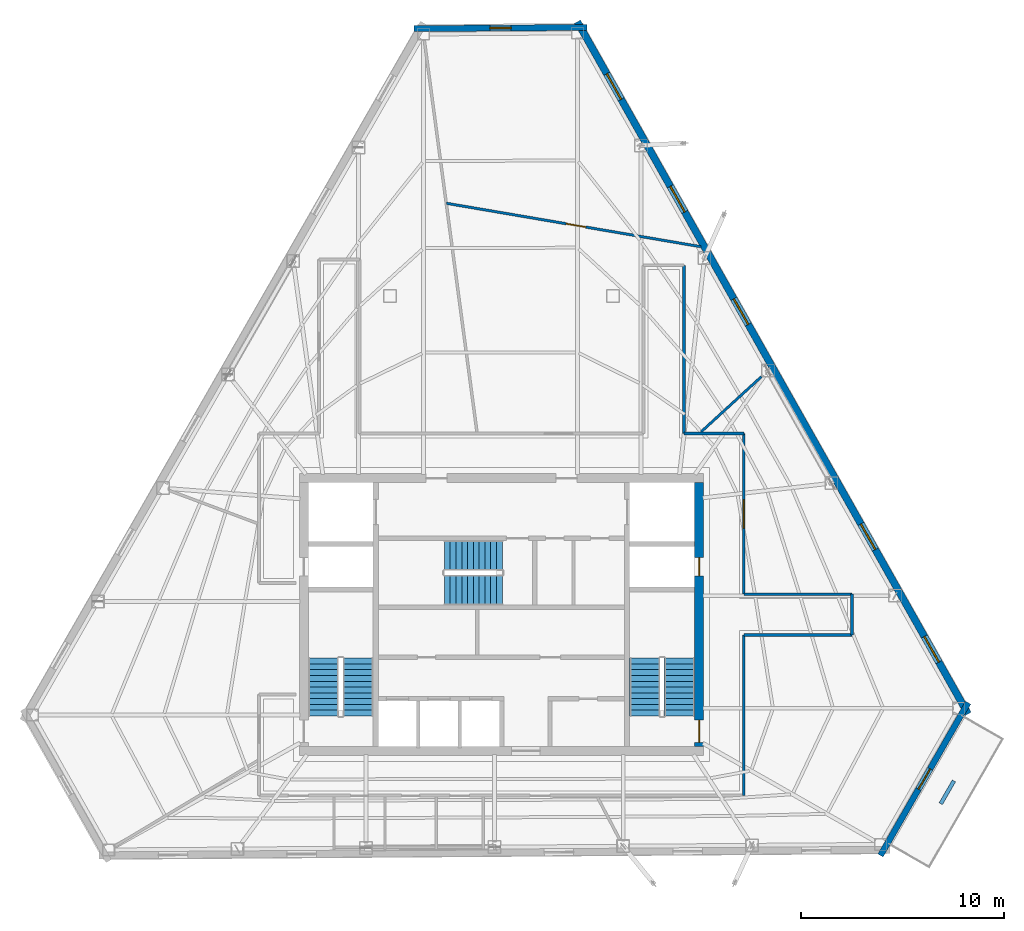
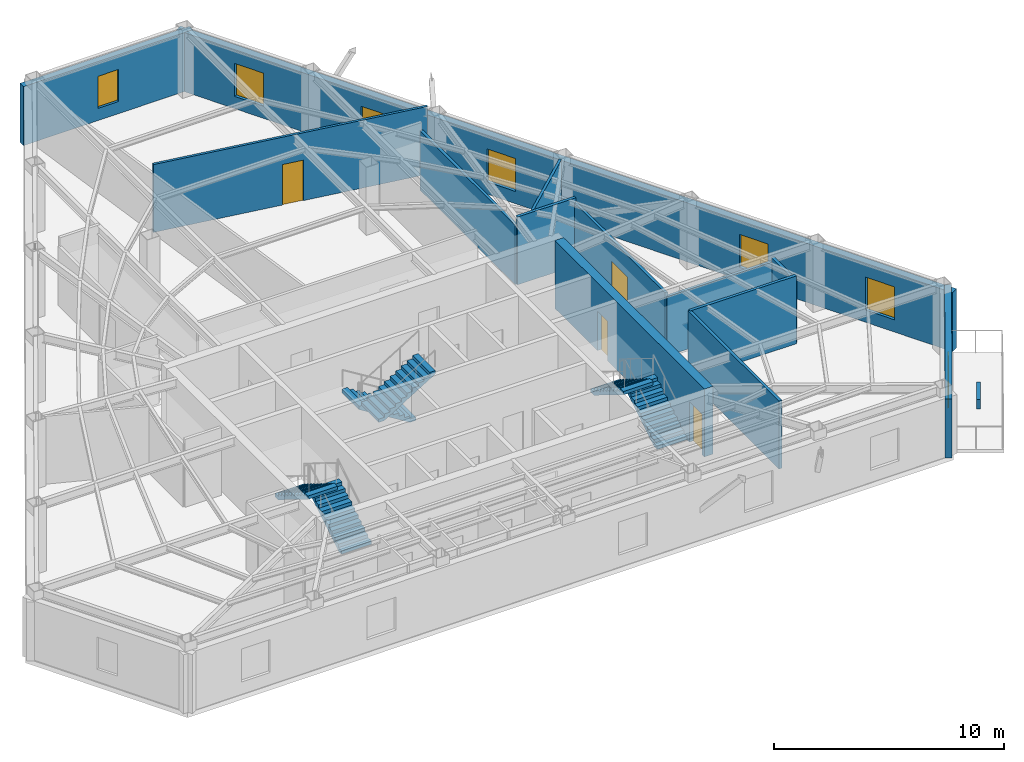
# One storey, part 10 of 12: 14 walls, 6 stair flights, 6 windows, 5 doors, 11 openings, 3 elements without a shape of their own.
"""IFC4 building model written with IfcOpenShell, lengths in metres."""

from ifc_helpers import new_model, si_unit, direction, frame, frame_2d, origin, place, context, subcontext, project, spatial, polyline, rectangle, outline, extrude, material, layer, layer_set, type_object, element, fill, aggregate, save


model = new_model("IFC4")

# Units and contexts
model_context = context("Model", 3, precision=1e-05, world=origin(), true_north=direction((0.0, 1.0)))
body_context = subcontext(model_context, "Body", "Model", "MODEL_VIEW")
ifc_project = project(units=[si_unit("LENGTHUNIT", "METRE"), si_unit("AREAUNIT", "SQUARE_METRE"), si_unit("VOLUMEUNIT", "CUBIC_METRE"), si_unit("PLANEANGLEUNIT", "RADIAN"), si_unit("MASSUNIT", "GRAM", prefix="KILO")], contexts=[model_context])

# Site, building, storey
site_placement = place(None, origin())
site = spatial("IfcSite", under=ifc_project, at=site_placement, CompositionType="ELEMENT")
building_placement = place(site_placement, origin())
building = spatial("IfcBuilding", under=site, at=building_placement, Name="Kavelnor Concourse Tower", CompositionType="ELEMENT")
storey_placement = place(building_placement, frame((0.0, 0.0, 226.60009765625)))
storey = spatial("IfcBuildingStorey", under=building, at=storey_placement, Name="L57", CompositionType="ELEMENT", Elevation=226.60009765625)

# Wall, openings, doors
ifc_material_1 = material(Name="Concrete C50/60", Category="concrete")
ifc_layer_1 = layer(ifc_material_1, 0.43994140625, Name="Concrete C50/60")
ifc_layer_set_1 = layer_set([ifc_layer_1], Name="Concrete C50/60")
wall_type_1 = type_object("IfcWallType", Name="WL-CORE-Z3-440", PredefinedType="SOLIDWALL", material=ifc_layer_set_1)
wall_1_placement = place(storey_placement, frame((47.739990234375, 9.60009765625, 0.0), z_axis=(0.0, 0.0, 1.0), x_axis=(0.0, 1.0, 0.0)))
wall_1 = element("IfcWall", 1, at=wall_1_placement, inside=storey, type_object=wall_type_1, Name="L57 Central Core East Shear Wall", PredefinedType="SOLIDWALL", context=body_context, shape_type="SweptSolid", body=[
    extrude(rectangle(XDim=13.0, YDim=0.43994140625, at=frame_2d((6.5, 0.0))), origin(), (0.0, 0.0, 1.0), 3.599853515625),
])
opening_1_placement = place(wall_1_placement, frame((0.199951171875, 0.0, 0.0)))
opening_1 = element("IfcOpeningElement", 2, at=opening_1_placement, cuts=wall_1, Name="Opening FD-110", PredefinedType="OPENING", context=body_context, shape_type="SweptSolid", body=[
    extrude(rectangle(XDim=1.10009765625, YDim=2.14990234375, at=frame_2d((0.550048828125, 1.074951171875))), frame((0.0, 0.22998046875, 0.0), z_axis=(0.0, -1.0, 0.0), x_axis=(1.0, 0.0, 0.0)), (0.0, 0.0, 1.0), 0.4599609375),
])
opening_2_placement = place(wall_1_placement, frame((8.39990234375, 0.0, 0.0)))
opening_2 = element("IfcOpeningElement", 3, at=opening_2_placement, cuts=wall_1, Name="Opening FD-090", PredefinedType="OPENING", context=body_context, shape_type="SweptSolid", body=[
    extrude(rectangle(XDim=0.89990234375, YDim=2.10009765625, at=frame_2d((0.449951171875, 1.050048828125))), frame((0.0, 0.22998046875, 0.0), z_axis=(0.0, -1.0, 0.0), x_axis=(1.0, 0.0, 0.0)), (0.0, 0.0, 1.0), 0.4599609375),
])
ifc_material_2 = material(Name="Steel Grade 350", Category="steel")
door_type_1 = type_object("IfcDoorType", Name="DR-RISER-FIRE-900", OperationType="NOTDEFINED", PredefinedType="DOOR", material=ifc_material_2)
door_1_placement = place(opening_2_placement, origin())
door_1 = element("IfcDoor", 4, at=door_1_placement, inside=storey, type_object=door_type_1, Name="L57 East Riser Access Door", OperationType="SINGLE_SWING_LEFT", OverallHeight=2.10009765625, OverallWidth=0.89990234375, PredefinedType="DOOR", context=body_context, shape_type="SweptSolid", body=[
    extrude(rectangle(XDim=0.89990234375, YDim=2.10009765625, at=frame_2d((0.449951171875, 1.050048828125))), frame((0.0, 0.02490234375, 0.0), z_axis=(0.0, -1.0, 0.0), x_axis=(1.0, 0.0, 0.0)), (0.0, 0.0, 1.0), 0.050048828125),
])
fill(opening_2, door_1)
door_type_2 = type_object("IfcDoorType", Name="DR-STAIR-FIRE-1100", OperationType="NOTDEFINED", PredefinedType="DOOR", material=ifc_material_2)
door_2_placement = place(opening_1_placement, origin())
door_2 = element("IfcDoor", 5, at=door_2_placement, inside=storey, type_object=door_type_2, Name="L57 Stair ST2 Fire Door", OperationType="SINGLE_SWING_RIGHT", OverallHeight=2.14990234375, OverallWidth=1.10009765625, PredefinedType="DOOR", context=body_context, shape_type="SweptSolid", body=[
    extrude(rectangle(XDim=1.10009765625, YDim=2.14990234375, at=frame_2d((0.550048828125, 1.074951171875))), frame((0.0, 0.02490234375, 0.0), z_axis=(0.0, -1.0, 0.0), x_axis=(1.0, 0.0, 0.0)), (0.0, 0.0, 1.0), 0.050048828125),
])
fill(opening_1, door_2)

# Wall, opening, window
ifc_material_3 = material(Name="Buff ironspot clay face brick masonry", Category="masonry")
ifc_layer_2 = layer(ifc_material_3, 0.300048828125, Name="Buff ironspot clay face brick masonry")
ifc_layer_set_2 = layer_set([ifc_layer_2], Name="Buff ironspot clay face brick masonry")
wall_type_2 = type_object("IfcWallType", Name="WL-EXT-BUFF-BRICK-FOLD-300", PredefinedType="STANDARD", material=ifc_layer_set_2)
wall_2_placement = place(storey_placement, frame((33.679443359375, 44.97119140625, 0.0), z_axis=(0.0, 0.0, 1.0), x_axis=(0.999974684305, 0.007115528717, 0.0)))
wall_2 = element("IfcWall", 6, at=wall_2_placement, inside=storey, type_object=wall_type_2, Name="L57 Exterior Brick Facade Wall E0", PredefinedType="STANDARD", context=body_context, shape_type="SweptSolid", body=[
    extrude(rectangle(XDim=8.54345703125, YDim=0.300048828125, at=frame_2d((4.271728515625, 0.0))), origin(), (0.0, 0.0, 1.0), 3.1318359375),
])
opening_3_placement = place(wall_2_placement, frame((3.746826171875, 0.0, 0.64990234375)))
opening_3 = element("IfcOpeningElement", 7, at=opening_3_placement, cuts=wall_2, Name="Opening W-06", PredefinedType="OPENING", context=body_context, shape_type="SweptSolid", body=[
    extrude(rectangle(XDim=1.050048828125, YDim=1.699951171875, at=frame_2d((0.52490234375, 0.85009765625))), frame((0.0, 0.16015625, 0.0), z_axis=(0.0, -1.0, 0.0), x_axis=(1.0, 0.0, 0.0)), (0.0, 0.0, 1.0), 0.320068359375),
])
ifc_material_4 = material(Name="Double low-E argon insulated glazing", Category="glass")
window_type_1 = type_object("IfcWindowType", Name="WIN-FOLD-1050", PartitioningType="SINGLE_PANEL", PredefinedType="WINDOW", material=ifc_material_4)
window_1_placement = place(opening_3_placement, origin())
window_1 = element("IfcWindow", 8, at=window_1_placement, inside=storey, type_object=window_type_1, Name="L57 Chamfer-Fold Facet Window C0", OverallHeight=1.699951171875, OverallWidth=1.050048828125, PartitioningType="SINGLE_PANEL", PredefinedType="WINDOW", context=body_context, shape_type="SweptSolid", body=[
    extrude(rectangle(XDim=1.050048828125, YDim=1.699951171875, at=frame_2d((0.52490234375, 0.85009765625))), frame((0.0, 0.030029296875, 0.0), z_axis=(0.0, -1.0, 0.0), x_axis=(1.0, 0.0, 0.0)), (0.0, 0.0, 1.0), 0.06005859375),
])
fill(opening_3, window_1)

# Wall, opening, door
wall_3_placement = place(storey_placement, frame((60.99658203125, 11.755615234375, 0.0), z_axis=(0.0, 0.0, 1.0), x_axis=(-0.497752351983, -0.867319200811, 0.0)))
wall_3 = element("IfcWall", 9, at=wall_3_placement, inside=storey, type_object=wall_type_2, Name="L57 Exterior Brick Facade Wall E4", PredefinedType="STANDARD", context=body_context, shape_type="SweptSolid", body=[
    extrude(rectangle(XDim=8.68115234375, YDim=0.300048828125, at=frame_2d((4.340576171875, 0.0))), origin(), (0.0, 0.0, 1.0), 3.1318359375),
])
opening_4_placement = place(wall_3_placement, frame((3.765380859375, 0.0, 0.0)))
opening_4 = element("IfcOpeningElement", 10, at=opening_4_placement, cuts=wall_3, Name="Opening TD-115", PredefinedType="OPENING", context=body_context, shape_type="SweptSolid", body=[
    extrude(rectangle(XDim=1.14990234375, YDim=2.199951171875, at=frame_2d((0.574951171875, 1.10009765625))), frame((0.0, 0.16015625, 0.0), z_axis=(0.0, -1.0, 0.0), x_axis=(1.0, 0.0, 0.0)), (0.0, 0.0, 1.0), 0.320068359375),
])
ifc_material_5 = material(Name="Anodised aluminium 6063-T6", Category="aluminium")
door_type_3 = type_object("IfcDoorType", Name="DR-TERRACE-EXT-1150", OperationType="NOTDEFINED", PredefinedType="DOOR", material=ifc_material_5)
door_3_placement = place(opening_4_placement, origin())
door_3 = element("IfcDoor", 11, at=door_3_placement, inside=storey, type_object=door_type_3, Name="L57 Spiral Sky Terrace Access Door", OperationType="SINGLE_SWING_RIGHT", OverallHeight=2.199951171875, OverallWidth=1.14990234375, PredefinedType="DOOR", context=body_context, shape_type="SweptSolid", body=[
    extrude(rectangle(XDim=1.14990234375, YDim=2.199951171875, at=frame_2d((0.574951171875, 1.10009765625))), frame((0.0, 0.02490234375, 0.0), z_axis=(0.0, -1.0, 0.0), x_axis=(1.0, 0.0, 0.0)), (0.0, 0.0, 1.0), 0.050048828125),
])
fill(opening_4, door_3)

# Wall, openings, windows
ifc_material_6 = material(Name="Red-ochre clay face brick masonry", Category="masonry")
ifc_layer_3 = layer(ifc_material_6, 0.35009765625, Name="Red-ochre clay face brick masonry")
ifc_layer_set_3 = layer_set([ifc_layer_3], Name="Red-ochre clay face brick masonry")
wall_type_3 = type_object("IfcWallType", Name="WL-EXT-RED-BRICK-PIER-350", PredefinedType="STANDARD", material=ifc_layer_set_3)
wall_4_placement = place(storey_placement, frame((41.739990234375, 45.3115234375, 0.0), z_axis=(0.0, 0.0, 1.0), x_axis=(0.491560367125, -0.870843502285, 0.0)))
wall_4 = element("IfcWall", 12, at=wall_4_placement, inside=storey, type_object=wall_type_3, Name="L57 Exterior Brick Facade Wall E5", PredefinedType="STANDARD", context=body_context, shape_type="SweptSolid", body=[
    extrude(rectangle(XDim=39.17041015625, YDim=0.35009765625, at=frame_2d((19.585205078125, 0.0))), origin(), (0.0, 0.0, 1.0), 3.1318359375),
])
opening_5_placement = place(wall_4_placement, frame((34.787841796875, 0.0, 0.64990234375)))
opening_5 = element("IfcOpeningElement", 13, at=opening_5_placement, cuts=wall_4, Name="Opening W-03", PredefinedType="OPENING", context=body_context, shape_type="SweptSolid", body=[
    extrude(rectangle(XDim=1.449951171875, YDim=1.75, at=frame_2d((0.72509765625, 0.875))), frame((0.0, 0.18505859375, 0.0), z_axis=(0.0, -1.0, 0.0), x_axis=(1.0, 0.0, 0.0)), (0.0, 0.0, 1.0), 0.3701171875),
])
opening_6_placement = place(wall_4_placement, frame((28.418701171875, 0.0, 0.64990234375)))
opening_6 = element("IfcOpeningElement", 14, at=opening_6_placement, cuts=wall_4, Name="Opening W-03", PredefinedType="OPENING", context=body_context, shape_type="SweptSolid", body=[
    extrude(rectangle(XDim=1.449951171875, YDim=1.75, at=frame_2d((0.72509765625, 0.875))), frame((0.0, 0.18505859375, 0.0), z_axis=(0.0, -1.0, 0.0), x_axis=(1.0, 0.0, 0.0)), (0.0, 0.0, 1.0), 0.3701171875),
])
opening_7_placement = place(wall_4_placement, frame((15.680419921875, 0.0, 0.64990234375)))
opening_7 = element("IfcOpeningElement", 15, at=opening_7_placement, cuts=wall_4, Name="Opening W-03", PredefinedType="OPENING", context=body_context, shape_type="SweptSolid", body=[
    extrude(rectangle(XDim=1.449951171875, YDim=1.75, at=frame_2d((0.72509765625, 0.875))), frame((0.0, 0.18505859375, 0.0), z_axis=(0.0, -1.0, 0.0), x_axis=(1.0, 0.0, 0.0)), (0.0, 0.0, 1.0), 0.3701171875),
])
opening_8_placement = place(wall_4_placement, frame((9.311279296875, 0.0, 0.64990234375)))
opening_8 = element("IfcOpeningElement", 16, at=opening_8_placement, cuts=wall_4, Name="Opening W-03", PredefinedType="OPENING", context=body_context, shape_type="SweptSolid", body=[
    extrude(rectangle(XDim=1.449951171875, YDim=1.75, at=frame_2d((0.72509765625, 0.875))), frame((0.0, 0.18505859375, 0.0), z_axis=(0.0, -1.0, 0.0), x_axis=(1.0, 0.0, 0.0)), (0.0, 0.0, 1.0), 0.3701171875),
])
opening_9_placement = place(wall_4_placement, frame((2.942138671875, 0.0, 0.64990234375)))
opening_9 = element("IfcOpeningElement", 17, at=opening_9_placement, cuts=wall_4, Name="Opening W-03", PredefinedType="OPENING", context=body_context, shape_type="SweptSolid", body=[
    extrude(rectangle(XDim=1.449951171875, YDim=1.75, at=frame_2d((0.72509765625, 0.875))), frame((0.0, 0.18505859375, 0.0), z_axis=(0.0, -1.0, 0.0), x_axis=(1.0, 0.0, 0.0)), (0.0, 0.0, 1.0), 0.3701171875),
])
window_type_2 = type_object("IfcWindowType", Name="WIN-PIER-Z3-1500", PartitioningType="SINGLE_PANEL", PredefinedType="WINDOW", material=ifc_material_4)
window_2_placement = place(opening_5_placement, origin())
window_2 = element("IfcWindow", 18, at=window_2_placement, inside=storey, type_object=window_type_2, Name="L57 Deep-Set Brick Pier Window F2-B0", OverallHeight=1.75, OverallWidth=1.449951171875, PartitioningType="SINGLE_PANEL", PredefinedType="WINDOW", context=body_context, shape_type="SweptSolid", body=[
    extrude(rectangle(XDim=1.449951171875, YDim=1.75, at=frame_2d((0.72509765625, 0.875))), frame((0.0, 0.030029296875, 0.0), z_axis=(0.0, -1.0, 0.0), x_axis=(1.0, 0.0, 0.0)), (0.0, 0.0, 1.0), 0.06005859375),
])
fill(opening_5, window_2)
window_3_placement = place(opening_6_placement, origin())
window_3 = element("IfcWindow", 19, at=window_3_placement, inside=storey, type_object=window_type_2, Name="L57 Deep-Set Brick Pier Window F2-B1", OverallHeight=1.75, OverallWidth=1.449951171875, PartitioningType="SINGLE_PANEL", PredefinedType="WINDOW", context=body_context, shape_type="SweptSolid", body=[
    extrude(rectangle(XDim=1.449951171875, YDim=1.75, at=frame_2d((0.72509765625, 0.875))), frame((0.0, 0.030029296875, 0.0), z_axis=(0.0, -1.0, 0.0), x_axis=(1.0, 0.0, 0.0)), (0.0, 0.0, 1.0), 0.06005859375),
])
fill(opening_6, window_3)
window_4_placement = place(opening_7_placement, origin())
window_4 = element("IfcWindow", 20, at=window_4_placement, inside=storey, type_object=window_type_2, Name="L57 Deep-Set Brick Pier Window F2-B3", OverallHeight=1.75, OverallWidth=1.449951171875, PartitioningType="SINGLE_PANEL", PredefinedType="WINDOW", context=body_context, shape_type="SweptSolid", body=[
    extrude(rectangle(XDim=1.449951171875, YDim=1.75, at=frame_2d((0.72509765625, 0.875))), frame((0.0, 0.030029296875, 0.0), z_axis=(0.0, -1.0, 0.0), x_axis=(1.0, 0.0, 0.0)), (0.0, 0.0, 1.0), 0.06005859375),
])
fill(opening_7, window_4)
window_5_placement = place(opening_8_placement, origin())
window_5 = element("IfcWindow", 21, at=window_5_placement, inside=storey, type_object=window_type_2, Name="L57 Deep-Set Brick Pier Window F2-B4", OverallHeight=1.75, OverallWidth=1.449951171875, PartitioningType="SINGLE_PANEL", PredefinedType="WINDOW", context=body_context, shape_type="SweptSolid", body=[
    extrude(rectangle(XDim=1.449951171875, YDim=1.75, at=frame_2d((0.72509765625, 0.875))), frame((0.0, 0.030029296875, 0.0), z_axis=(0.0, -1.0, 0.0), x_axis=(1.0, 0.0, 0.0)), (0.0, 0.0, 1.0), 0.06005859375),
])
fill(opening_8, window_5)
window_6_placement = place(opening_9_placement, origin())
window_6 = element("IfcWindow", 22, at=window_6_placement, inside=storey, type_object=window_type_2, Name="L57 Deep-Set Brick Pier Window F2-B5", OverallHeight=1.75, OverallWidth=1.449951171875, PartitioningType="SINGLE_PANEL", PredefinedType="WINDOW", context=body_context, shape_type="SweptSolid", body=[
    extrude(rectangle(XDim=1.449951171875, YDim=1.75, at=frame_2d((0.72509765625, 0.875))), frame((0.0, 0.030029296875, 0.0), z_axis=(0.0, -1.0, 0.0), x_axis=(1.0, 0.0, 0.0)), (0.0, 0.0, 1.0), 0.06005859375),
])
fill(opening_9, window_6)

# Walls
ifc_material_7 = material(Name="Gypsum plasterboard on light-gauge steel studs", Category="steel")
ifc_layer_4 = layer(ifc_material_7, 0.14501953125, Name="Gypsum plasterboard on light-gauge steel studs")
ifc_layer_set_4 = layer_set([ifc_layer_4], Name="Gypsum plasterboard on light-gauge steel studs")
wall_type_4 = type_object("IfcWallType", Name="WL-INT-CORR-145", PredefinedType="PARTITIONING", material=ifc_layer_set_4)
wall_5_placement = place(storey_placement, frame((47.0, 33.311279296875, 0.0), z_axis=(0.0, 0.0, 1.0), x_axis=(0.0, -1.0, 0.0)))
element("IfcWall", 23, at=wall_5_placement, inside=storey, type_object=wall_type_4, Name="L57 Corridor Wall WL-L57-CR-10", PredefinedType="PARTITIONING", context=body_context, shape_type="SweptSolid", body=[
    extrude(rectangle(XDim=8.291259765625, YDim=0.14501953125, at=frame_2d((4.1455078125, 0.0))), origin(), (0.0, 0.0, 1.0), 3.140869140625),
])
wall_6_placement = place(storey_placement, frame((47.0, 25.02001953125, 0.0), z_axis=(0.0, 0.0, 1.0), x_axis=(1.0, 0.0, 0.0)))
element("IfcWall", 24, at=wall_6_placement, inside=storey, type_object=wall_type_4, Name="L57 Corridor Wall WL-L57-CR-11", PredefinedType="PARTITIONING", context=body_context, shape_type="SweptSolid", body=[
    extrude(rectangle(XDim=2.93994140625, YDim=0.14501953125, at=frame_2d((1.469970703125, 0.0))), origin(), (0.0, 0.0, 1.0), 3.599853515625),
])

# Wall, opening, door
wall_7_placement = place(storey_placement, frame((49.93994140625, 25.02001953125, 0.0), z_axis=(0.0, 0.0, 1.0), x_axis=(0.0, -1.0, 0.0)))
wall_7 = element("IfcWall", 25, at=wall_7_placement, inside=storey, type_object=wall_type_4, Name="L57 Corridor Wall WL-L57-CR-12", PredefinedType="PARTITIONING", context=body_context, shape_type="SweptSolid", body=[
    extrude(rectangle(XDim=7.919921875, YDim=0.14501953125, at=frame_2d((3.9599609375, 0.0))), origin(), (0.0, 0.0, 1.0), 3.3388671875),
])
opening_10_placement = place(wall_7_placement, frame((3.260009765625, 0.0, 0.0)))
opening_10 = element("IfcOpeningElement", 26, at=opening_10_placement, cuts=wall_7, Name="Opening SD-140", PredefinedType="OPENING", context=body_context, shape_type="SweptSolid", body=[
    extrude(rectangle(XDim=1.39990234375, YDim=2.199951171875, at=frame_2d((0.699951171875, 1.10009765625))), frame((0.0, 0.08251953125, 0.0), z_axis=(0.0, -1.0, 0.0), x_axis=(1.0, 0.0, 0.0)), (0.0, 0.0, 1.0), 0.1650390625),
])
ifc_material_8 = material(Name="Solid-core hardwood timber", Category="wood")
door_type_4 = type_object("IfcDoorType", Name="DR-SUITE-ENTRY-1400", OperationType="NOTDEFINED", PredefinedType="DOOR", material=ifc_material_8)
door_4_placement = place(opening_10_placement, origin())
door_4 = element("IfcDoor", 27, at=door_4_placement, inside=storey, type_object=door_type_4, Name="L57 Client Concierge 07 Door", OperationType="SINGLE_SWING_LEFT", OverallHeight=2.199951171875, OverallWidth=1.39990234375, PredefinedType="DOOR", context=body_context, shape_type="SweptSolid", body=[
    extrude(rectangle(XDim=1.39990234375, YDim=2.199951171875, at=frame_2d((0.699951171875, 1.10009765625))), frame((0.0, 0.02490234375, 0.0), z_axis=(0.0, -1.0, 0.0), x_axis=(1.0, 0.0, 0.0)), (0.0, 0.0, 1.0), 0.050048828125),
])
fill(opening_10, door_4)

# Walls
wall_8_placement = place(storey_placement, frame((49.93994140625, 17.10009765625, 0.0), z_axis=(0.0, 0.0, 1.0), x_axis=(1.0, 0.0, 0.0)))
element("IfcWall", 28, at=wall_8_placement, inside=storey, type_object=wall_type_4, Name="L57 Corridor Wall WL-L57-CR-13", PredefinedType="PARTITIONING", context=body_context, shape_type="SweptSolid", body=[
    extrude(rectangle(XDim=5.339599609375, YDim=0.14501953125, at=frame_2d((2.669921875, 0.0))), origin(), (0.0, 0.0, 1.0), 3.140869140625),
])
wall_9_placement = place(storey_placement, frame((55.279541015625, 17.10009765625, 0.0), z_axis=(0.0, 0.0, 1.0), x_axis=(0.0, -1.0, 0.0)))
element("IfcWall", 29, at=wall_9_placement, inside=storey, type_object=wall_type_4, Name="L57 Corridor Wall WL-L57-CR-14", PredefinedType="PARTITIONING", context=body_context, shape_type="SweptSolid", body=[
    extrude(rectangle(XDim=2.0, YDim=0.14501953125, at=frame_2d((1.0, 0.0))), origin(), (0.0, 0.0, 1.0), 3.3388671875),
])
wall_10_placement = place(storey_placement, frame((55.279541015625, 15.10009765625, 0.0), z_axis=(0.0, 0.0, 1.0), x_axis=(-1.0, 0.0, 0.0)))
element("IfcWall", 30, at=wall_10_placement, inside=storey, type_object=wall_type_4, Name="L57 Corridor Wall WL-L57-CR-15", PredefinedType="PARTITIONING", context=body_context, shape_type="SweptSolid", body=[
    extrude(rectangle(XDim=5.339599609375, YDim=0.14501953125, at=frame_2d((2.669921875, 0.0))), origin(), (0.0, 0.0, 1.0), 3.599853515625),
])
wall_11_placement = place(storey_placement, frame((49.93994140625, 15.10009765625, 0.0), z_axis=(0.0, 0.0, 1.0), x_axis=(0.0, -1.0, 0.0)))
element("IfcWall", 31, at=wall_11_placement, inside=storey, type_object=wall_type_4, Name="L57 Corridor Wall WL-L57-CR-16", PredefinedType="PARTITIONING", context=body_context, shape_type="SweptSolid", body=[
    extrude(rectangle(XDim=7.920166015625, YDim=0.14501953125, at=frame_2d((3.9599609375, 0.0))), origin(), (0.0, 0.0, 1.0), 3.599853515625),
])
ifc_layer_5 = layer(ifc_material_7, 0.125, Name="Gypsum plasterboard on light-gauge steel studs")
ifc_layer_set_5 = layer_set([ifc_layer_5], Name="Gypsum plasterboard on light-gauge steel studs")
wall_type_5 = type_object("IfcWallType", Name="WL-INT-SUITE-125", PredefinedType="PARTITIONING", material=ifc_layer_set_5)
wall_12_placement = place(storey_placement, frame((47.835693359375, 25.1005859375, 0.0), z_axis=(0.0, 0.0, 1.0), x_axis=(0.737755301838, 0.675068229597, 0.0)))
element("IfcWall", 32, at=wall_12_placement, inside=storey, type_object=wall_type_5, Name="L57 Radial Suite Partition 01", PredefinedType="PARTITIONING", context=body_context, shape_type="SweptSolid", body=[
    extrude(rectangle(XDim=4.027099609375, YDim=0.125, at=frame_2d((2.013671875, 0.0))), origin(), (0.0, 0.0, 1.0), 3.599853515625),
])

# Wall, opening, door
wall_13_placement = place(storey_placement, frame((47.826171875, 34.224365234375, 0.0), z_axis=(0.0, 0.0, 1.0), x_axis=(-0.985736503202, 0.168296007841, 0.0)))
wall_13 = element("IfcWall", 33, at=wall_13_placement, inside=storey, type_object=wall_type_5, Name="L57 Suite Subdivision Partition 01", PredefinedType="PARTITIONING", context=body_context, shape_type="SweptSolid", body=[
    extrude(rectangle(XDim=12.715087890625, YDim=0.125, at=frame_2d((6.357421875, 0.0))), origin(), (0.0, 0.0, 1.0), 3.599853515625),
])
opening_11_placement = place(wall_13_placement, frame((5.7587890625, 0.0, 0.0)))
opening_11 = element("IfcOpeningElement", 34, at=opening_11_placement, cuts=wall_13, Name="Opening OD-098", PredefinedType="OPENING", context=body_context, shape_type="SweptSolid", body=[
    extrude(rectangle(XDim=0.97998046875, YDim=2.14990234375, at=frame_2d((0.489990234375, 1.074951171875))), frame((0.0, 0.072509765625, 0.0), z_axis=(0.0, -1.0, 0.0), x_axis=(1.0, 0.0, 0.0)), (0.0, 0.0, 1.0), 0.14501953125),
])
door_type_5 = type_object("IfcDoorType", Name="DR-OFFICE-980", OperationType="NOTDEFINED", PredefinedType="DOOR", material=ifc_material_8)
door_5_placement = place(opening_11_placement, origin())
door_5 = element("IfcDoor", 35, at=door_5_placement, inside=storey, type_object=door_type_5, Name="L57 Executive Dining Room 02 Door", OperationType="SINGLE_SWING_RIGHT", OverallHeight=2.14990234375, OverallWidth=0.97998046875, PredefinedType="DOOR", context=body_context, shape_type="SweptSolid", body=[
    extrude(rectangle(XDim=0.97998046875, YDim=2.14990234375, at=frame_2d((0.489990234375, 1.074951171875))), frame((0.0, 0.02490234375, 0.0), z_axis=(0.0, -1.0, 0.0), x_axis=(1.0, 0.0, 0.0)), (0.0, 0.0, 1.0), 0.050048828125),
])
fill(opening_11, door_5)

# Wall
ifc_material_9 = material(Name="Architectural precast planter concrete C40/50", Category="concrete")
ifc_layer_6 = layer(ifc_material_9, 0.18994140625, Name="Architectural precast planter concrete C40/50")
ifc_layer_set_6 = layer_set([ifc_layer_6], Name="Architectural precast planter concrete C40/50")
wall_type_6 = type_object("IfcWallType", Name="WL-PLANTER-KERB-190", PredefinedType="USERDEFINED", material=ifc_layer_set_6)
wall_14_placement = place(storey_placement, frame((59.648681640625, 6.775146484375, 0.0), z_axis=(0.0, 0.0, 1.0), x_axis=(0.497857055597, 0.867259103263, 0.0)))
element("IfcWall", 36, at=wall_14_placement, inside=storey, type_object=wall_type_6, Name="L57 Spiral Terrace Landscaped Planter Kerb", ObjectType="PLANTER", PredefinedType="USERDEFINED", context=body_context, shape_type="SweptSolid", body=[
    extrude(rectangle(XDim=1.300048828125, YDim=0.18994140625, at=frame_2d((0.64990234375, 0.0))), origin(), (0.0, 0.0, 1.0), 0.52001953125),
])

# Stair, stair flights
ifc_material_10 = material(Name="Concrete C40/50", Category="concrete")
stair_type = type_object("IfcStairType", Name="STR-CORE-1500", PredefinedType="HALF_TURN_STAIR", material=ifc_material_10)
stair_1_placement = place(storey_placement, origin())
stair_1 = element("IfcStair", 37, at=stair_1_placement, inside=storey, type_object=stair_type, Name="L57 ST1", PredefinedType="HALF_TURN_STAIR")
stair_flight_type = type_object("IfcStairFlightType", Name="STR-FLIGHT-1500", PredefinedType="STRAIGHT", material=ifc_material_10)
stair_flight_1_placement = place(storey_placement, frame((30.929931640625, 11.10009765625, 0.0), z_axis=(0.0, 0.0, 1.0), x_axis=(0.0, 1.0, 0.0)))
stair_flight_1 = element("IfcStairFlight", 38, at=stair_flight_1_placement, type_object=stair_flight_type, Name="ST1 flight 1", NumberOfRisers=11, NumberOfTreads=10, PredefinedType="STRAIGHT", RiserHeight=0.175, TreadLength=0.285, context=body_context, shape_type="SweptSolid", body=[
    extrude(outline(polyline([(0.0, 0.0), (0.0, 0.175048828125), (0.284912109375, 0.175048828125), (0.284912109375, 0.35009765625), (0.570068359375, 0.35009765625), (0.570068359375, 0.52490234375), (0.85498046875, 0.52490234375), (0.85498046875, 0.699951171875), (1.139892578125, 0.699951171875), (1.139892578125, 0.875), (1.425048828125, 0.875), (1.425048828125, 1.050048828125), (1.7099609375, 1.050048828125), (1.7099609375, 1.22509765625), (1.9951171875, 1.22509765625), (1.9951171875, 1.39990234375), (2.280029296875, 1.39990234375), (2.280029296875, 1.574951171875), (2.56494140625, 1.574951171875), (2.56494140625, 1.75), (2.85009765625, 1.75), (2.85009765625, 1.925048828125), (2.85009765625, 1.573974609375), (0.286376953125, 0.0), (0.0, 0.0)])), frame((0.0, 0.75, 0.0), z_axis=(0.0, -1.0, 0.0), x_axis=(1.0, 0.0, 0.0)), (0.0, 0.0, 1.0), 1.5),
])
stair_flight_2_placement = place(storey_placement, frame((29.22998046875, 13.949951171875, 1.9248046875), z_axis=(0.0, 0.0, 1.0), x_axis=(0.0, -1.0, 0.0)))
stair_flight_2 = element("IfcStairFlight", 39, at=stair_flight_2_placement, type_object=stair_flight_type, Name="ST1 flight 2", NumberOfRisers=11, NumberOfTreads=10, PredefinedType="STRAIGHT", RiserHeight=0.175, TreadLength=0.285, context=body_context, shape_type="SweptSolid", body=[
    extrude(outline(polyline([(0.0, 0.0), (0.0, 0.175048828125), (0.284912109375, 0.175048828125), (0.284912109375, 0.35009765625), (0.570068359375, 0.35009765625), (0.570068359375, 0.52490234375), (0.85498046875, 0.52490234375), (0.85498046875, 0.699951171875), (1.139892578125, 0.699951171875), (1.139892578125, 0.875), (1.425048828125, 0.875), (1.425048828125, 1.050048828125), (1.7099609375, 1.050048828125), (1.7099609375, 1.22509765625), (1.9951171875, 1.22509765625), (1.9951171875, 1.39990234375), (2.280029296875, 1.39990234375), (2.280029296875, 1.574951171875), (2.56494140625, 1.574951171875), (2.56494140625, 1.75), (2.85009765625, 1.75), (2.85009765625, 1.925048828125), (2.85009765625, 1.573974609375), (0.286376953125, 0.0), (0.0, 0.0)])), frame((0.0, 0.75, 0.0), z_axis=(0.0, -1.0, 0.0), x_axis=(1.0, 0.0, 0.0)), (0.0, 0.0, 1.0), 1.5),
])
aggregate(stair_1, [stair_flight_1, stair_flight_2])

stair_2_placement = place(storey_placement, origin())
stair_2 = element("IfcStair", 40, at=stair_2_placement, inside=storey, type_object=stair_type, Name="L57 ST2", PredefinedType="HALF_TURN_STAIR")
stair_flight_3_placement = place(storey_placement, frame((46.77001953125, 11.10009765625, 0.0), z_axis=(0.0, 0.0, 1.0), x_axis=(0.0, 1.0, 0.0)))
stair_flight_3 = element("IfcStairFlight", 41, at=stair_flight_3_placement, type_object=stair_flight_type, Name="ST2 flight 1", NumberOfRisers=11, NumberOfTreads=10, PredefinedType="STRAIGHT", RiserHeight=0.175, TreadLength=0.285, context=body_context, shape_type="SweptSolid", body=[
    extrude(outline(polyline([(0.0, 0.0), (0.0, 0.175048828125), (0.284912109375, 0.175048828125), (0.284912109375, 0.35009765625), (0.570068359375, 0.35009765625), (0.570068359375, 0.52490234375), (0.85498046875, 0.52490234375), (0.85498046875, 0.699951171875), (1.139892578125, 0.699951171875), (1.139892578125, 0.875), (1.425048828125, 0.875), (1.425048828125, 1.050048828125), (1.7099609375, 1.050048828125), (1.7099609375, 1.22509765625), (1.9951171875, 1.22509765625), (1.9951171875, 1.39990234375), (2.280029296875, 1.39990234375), (2.280029296875, 1.574951171875), (2.56494140625, 1.574951171875), (2.56494140625, 1.75), (2.85009765625, 1.75), (2.85009765625, 1.925048828125), (2.85009765625, 1.573974609375), (0.286376953125, 0.0), (0.0, 0.0)])), frame((0.0, 0.75, 0.0), z_axis=(0.0, -1.0, 0.0), x_axis=(1.0, 0.0, 0.0)), (0.0, 0.0, 1.0), 1.5),
])
stair_flight_4_placement = place(storey_placement, frame((45.070068359375, 13.949951171875, 1.9248046875), z_axis=(0.0, 0.0, 1.0), x_axis=(0.0, -1.0, 0.0)))
stair_flight_4 = element("IfcStairFlight", 42, at=stair_flight_4_placement, type_object=stair_flight_type, Name="ST2 flight 2", NumberOfRisers=11, NumberOfTreads=10, PredefinedType="STRAIGHT", RiserHeight=0.175, TreadLength=0.285, context=body_context, shape_type="SweptSolid", body=[
    extrude(outline(polyline([(0.0, 0.0), (0.0, 0.175048828125), (0.284912109375, 0.175048828125), (0.284912109375, 0.35009765625), (0.570068359375, 0.35009765625), (0.570068359375, 0.52490234375), (0.85498046875, 0.52490234375), (0.85498046875, 0.699951171875), (1.139892578125, 0.699951171875), (1.139892578125, 0.875), (1.425048828125, 0.875), (1.425048828125, 1.050048828125), (1.7099609375, 1.050048828125), (1.7099609375, 1.22509765625), (1.9951171875, 1.22509765625), (1.9951171875, 1.39990234375), (2.280029296875, 1.39990234375), (2.280029296875, 1.574951171875), (2.56494140625, 1.574951171875), (2.56494140625, 1.75), (2.85009765625, 1.75), (2.85009765625, 1.925048828125), (2.85009765625, 1.573974609375), (0.286376953125, 0.0), (0.0, 0.0)])), frame((0.0, 0.75, 0.0), z_axis=(0.0, -1.0, 0.0), x_axis=(1.0, 0.0, 0.0)), (0.0, 0.0, 1.0), 1.5),
])
aggregate(stair_2, [stair_flight_3, stair_flight_4])

stair_3_placement = place(storey_placement, origin())
stair_3 = element("IfcStair", 43, at=stair_3_placement, inside=storey, type_object=stair_type, Name="L57 ST3", PredefinedType="HALF_TURN_STAIR")
stair_flight_5_placement = place(storey_placement, frame((38.0400390625, 19.010009765625, 0.0), z_axis=(0.0, 0.0, 1.0), x_axis=(-1.0, 0.0, 0.0)))
stair_flight_5 = element("IfcStairFlight", 44, at=stair_flight_5_placement, type_object=stair_flight_type, Name="ST3 flight 1", NumberOfRisers=11, NumberOfTreads=10, PredefinedType="STRAIGHT", RiserHeight=0.175, TreadLength=0.285, context=body_context, shape_type="SweptSolid", body=[
    extrude(outline(polyline([(0.0, 0.0), (0.0, 0.175048828125), (0.284912109375, 0.175048828125), (0.284912109375, 0.35009765625), (0.570068359375, 0.35009765625), (0.570068359375, 0.52490234375), (0.85498046875, 0.52490234375), (0.85498046875, 0.699951171875), (1.139892578125, 0.699951171875), (1.139892578125, 0.875), (1.425048828125, 0.875), (1.425048828125, 1.050048828125), (1.7099609375, 1.050048828125), (1.7099609375, 1.22509765625), (1.9951171875, 1.22509765625), (1.9951171875, 1.39990234375), (2.280029296875, 1.39990234375), (2.280029296875, 1.574951171875), (2.56494140625, 1.574951171875), (2.56494140625, 1.75), (2.85009765625, 1.75), (2.85009765625, 1.925048828125), (2.85009765625, 1.573974609375), (0.286376953125, 0.0), (0.0, 0.0)])), frame((0.0, 0.75, 0.0), z_axis=(0.0, -1.0, 0.0), x_axis=(1.0, 0.0, 0.0)), (0.0, 0.0, 1.0), 1.5),
])
stair_flight_6_placement = place(storey_placement, frame((35.18994140625, 17.31005859375, 1.9248046875), z_axis=(0.0, 0.0, 1.0), x_axis=(1.0, 0.0, 0.0)))
stair_flight_6 = element("IfcStairFlight", 45, at=stair_flight_6_placement, type_object=stair_flight_type, Name="ST3 flight 2", NumberOfRisers=11, NumberOfTreads=10, PredefinedType="STRAIGHT", RiserHeight=0.175, TreadLength=0.285, context=body_context, shape_type="SweptSolid", body=[
    extrude(outline(polyline([(0.0, 0.0), (0.0, 0.175048828125), (0.284912109375, 0.175048828125), (0.284912109375, 0.35009765625), (0.570068359375, 0.35009765625), (0.570068359375, 0.52490234375), (0.85498046875, 0.52490234375), (0.85498046875, 0.699951171875), (1.139892578125, 0.699951171875), (1.139892578125, 0.875), (1.425048828125, 0.875), (1.425048828125, 1.050048828125), (1.7099609375, 1.050048828125), (1.7099609375, 1.22509765625), (1.9951171875, 1.22509765625), (1.9951171875, 1.39990234375), (2.280029296875, 1.39990234375), (2.280029296875, 1.574951171875), (2.56494140625, 1.574951171875), (2.56494140625, 1.75), (2.85009765625, 1.75), (2.85009765625, 1.925048828125), (2.85009765625, 1.573974609375), (0.286376953125, 0.0), (0.0, 0.0)])), frame((0.0, 0.75, 0.0), z_axis=(0.0, -1.0, 0.0), x_axis=(1.0, 0.0, 0.0)), (0.0, 0.0, 1.0), 1.5),
])
aggregate(stair_3, [stair_flight_5, stair_flight_6])

save(model, "model.ifc")
